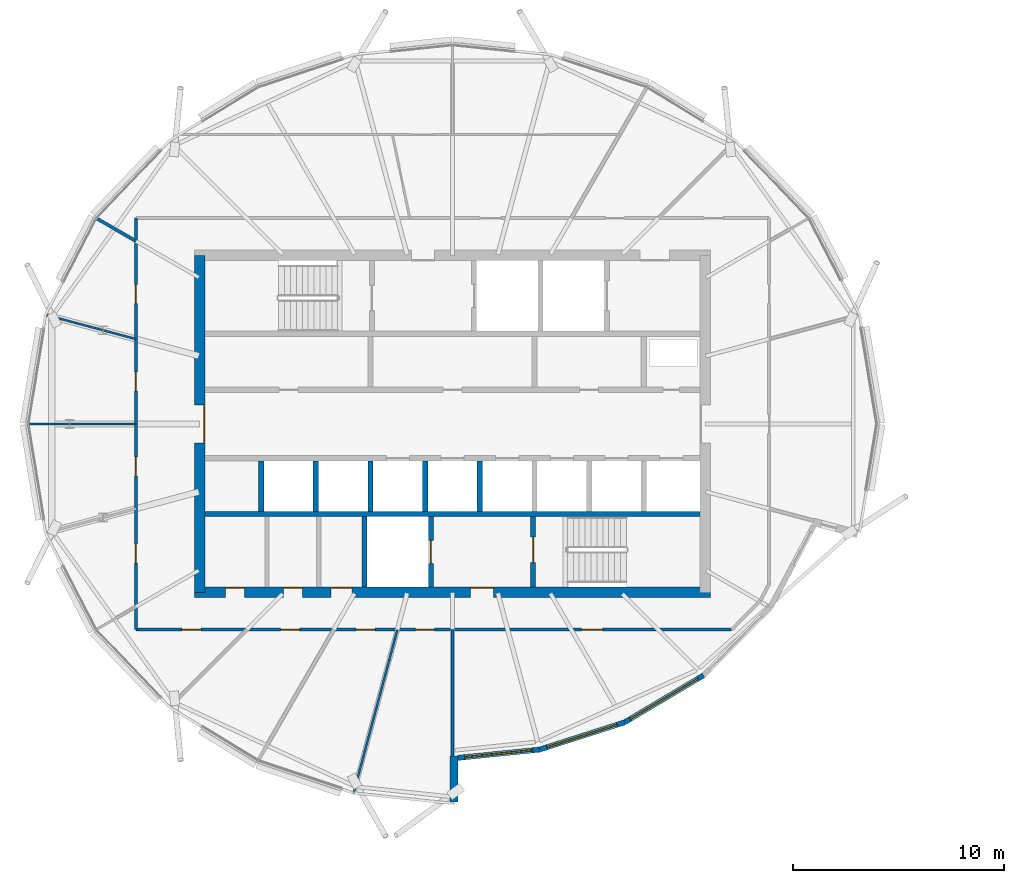
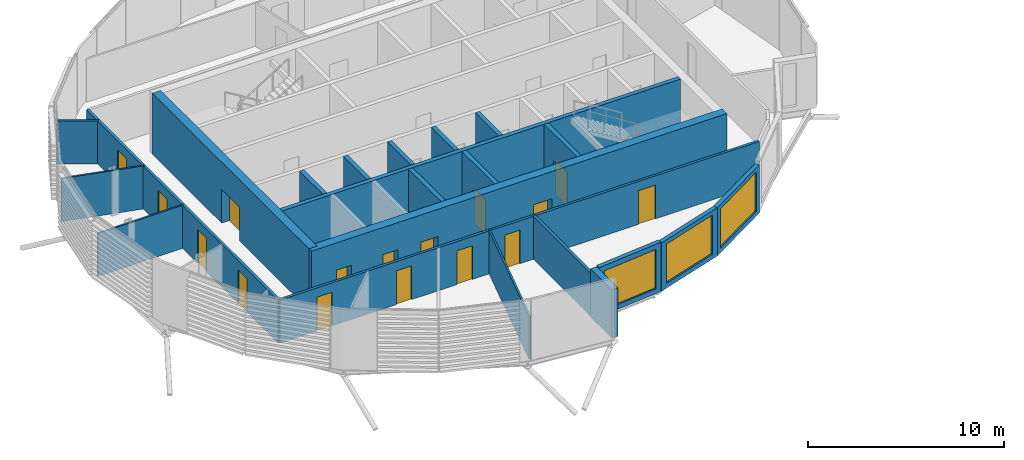
# One storey, part 16 of 34: 22 walls, 16 doors, 3 windows, 19 openings.
"""IFC4 building model written with IfcOpenShell, lengths in metres."""

import ifcopenshell
import ifcopenshell.guid

model = None  # the IFC model being written
_history = None  # IfcOwnerHistory: only IFC2X3 demands one
_inside = {}  # id of a spatial element -> (the spatial element, [elements in it])
_under = {}  # id of a project, library or spatial element -> (it, [spatial elements below it])
_declared = {}  # id of a project -> (the project, [libraries it declares])
_typed = {}  # id of a type object -> (the type object, [elements of that type])
_made_of = {}  # id of a material, layer set ... -> (it, [elements and type objects made of it])


def new_model(schema):
    """Start an empty IFC model of exactly this schema.

    Asked for "IFC4X3", IfcOpenShell would pick the latest addendum, in which some entities
    have other attributes; the version numbers below select the first issue.
    IFC2X3 requires an IfcOwnerHistory on every rooted entity: one is made here for all.
    """
    global model, _history
    if schema == "IFC4X3":
        model = ifcopenshell.file(schema_version=(4, 3, 0, 0))
    else:
        model = ifcopenshell.file(schema=schema)
    _inside.clear()
    _under.clear()
    _declared.clear()
    _typed.clear()
    _made_of.clear()
    _history = None
    if model.schema == "IFC2X3":
        org = make("IfcOrganization", Name="unknown")
        user = make(
            "IfcPersonAndOrganization",
            ThePerson=make("IfcPerson", FamilyName="unknown"),
            TheOrganization=org,
        )
        app = make(
            "IfcApplication",
            ApplicationDeveloper=org,
            Version="unknown",
            ApplicationFullName="unknown",
            ApplicationIdentifier="unknown",
        )
        _history = make(
            "IfcOwnerHistory",
            OwningUser=user,
            OwningApplication=app,
            ChangeAction="ADDED",
            CreationDate=0,
        )
    return model


def make(cls, **values):
    """One entity of the class cls with the attributes given. An attribute that is None is left unset."""
    return model.create_entity(
        cls, **{name: value for name, value in values.items() if value is not None}
    )


def rooted(cls, **values):
    """An entity with a GlobalId (a new one), such as an element, a storey or a relation."""
    return make(cls, GlobalId=ifcopenshell.guid.new(), OwnerHistory=_history, **values)


def si_unit(unit_type, name, prefix=None):
    """IfcSIUnit, for example si_unit("LENGTHUNIT", "METRE", prefix="MILLI")."""
    return make("IfcSIUnit", UnitType=unit_type, Prefix=prefix, Name=name)


def assignment(units):
    """IfcUnitAssignment: the units of a project."""
    return None if units is None else make("IfcUnitAssignment", Units=units)


def point(xyz):
    """IfcCartesianPoint."""
    return None if xyz is None else make("IfcCartesianPoint", Coordinates=xyz)


def direction(xyz):
    """IfcDirection."""
    return None if xyz is None else make("IfcDirection", DirectionRatios=xyz)


def frame(location, z_axis=None, x_axis=None):
    """IfcAxis2Placement3D, a coordinate frame: its origin and axes. An axis left out is left unset."""
    return make(
        "IfcAxis2Placement3D",
        Location=point(location),
        Axis=direction(z_axis),
        RefDirection=direction(x_axis),
    )


def frame_2d(location, x_axis=None):
    """IfcAxis2Placement2D, a coordinate frame in the plane: its origin and x axis."""
    return make(
        "IfcAxis2Placement2D", Location=point(location), RefDirection=direction(x_axis)
    )


def origin():
    """The frame at (0, 0, 0) with its axes left unset."""
    return frame((0.0, 0.0, 0.0))


def place(relative_to, where):
    """IfcLocalPlacement: puts the frame where relative to a parent placement (None: the world)."""
    return make(
        "IfcLocalPlacement", PlacementRelTo=relative_to, RelativePlacement=where
    )


def context(
    kind, dimensions, precision=None, world=None, true_north=None, identifier=None
):
    """IfcGeometricRepresentationContext, for example the 3D "Model" context."""
    return make(
        "IfcGeometricRepresentationContext",
        ContextIdentifier=identifier,
        ContextType=kind,
        CoordinateSpaceDimension=dimensions,
        Precision=precision,
        WorldCoordinateSystem=world,
        TrueNorth=true_north,
    )


def subcontext(parent, identifier, kind, view, scale=None):
    """IfcGeometricRepresentationSubContext, for example "Body" below "Model"."""
    return make(
        "IfcGeometricRepresentationSubContext",
        ContextIdentifier=identifier,
        ContextType=kind,
        ParentContext=parent,
        TargetScale=scale,
        TargetView=view,
    )


def project(units=None, contexts=None):
    """IfcProject with its units and contexts."""
    return rooted(
        "IfcProject",
        Name="project",
        RepresentationContexts=contexts,
        UnitsInContext=assignment(units),
    )


def spatial(cls, under=None, at=None, **own):
    """A site, building, storey or space (cls), placed at a placement, below another one or the project."""
    s = rooted(cls, ObjectPlacement=at, **own)
    if under is not None:
        _under.setdefault(under.id(), (under, []))[1].append(s)
    return s


def profile(cls, at=None, kind="AREA", **sizes):
    """A parametric profile (cls). Its sizes go by their IFC names, for example OverallWidth=200.0."""
    return make(cls, ProfileType=kind, Position=at, **sizes)


def rectangle(**sizes):
    """IfcRectangleProfileDef."""
    return profile("IfcRectangleProfileDef", **sizes)


def extrude(swept, where, along, depth):
    """IfcExtrudedAreaSolid: the profile swept, set in the frame where, extruded along a direction by depth."""
    return make(
        "IfcExtrudedAreaSolid",
        SweptArea=swept,
        Position=where,
        ExtrudedDirection=direction(along),
        Depth=depth,
    )


def shape(context_of_items, identifier, shape_type, items):
    """IfcShapeRepresentation: the items that make up one representation, for example the "Body"."""
    return make(
        "IfcShapeRepresentation",
        ContextOfItems=context_of_items,
        RepresentationIdentifier=identifier,
        RepresentationType=shape_type,
        Items=items,
    )


def material(Name=None, Category=None):
    """IfcMaterial."""
    return make("IfcMaterial", Name=Name, Category=Category)


def layer(
    of_material, thickness, ventilated=None, Name=None, Category=None, Priority=None
):
    """IfcMaterialLayer: one layer of a wall or slab, of a material (None: an air gap)."""
    return make(
        "IfcMaterialLayer",
        Material=of_material,
        LayerThickness=thickness,
        IsVentilated=ventilated,
        Name=Name,
        Category=Category,
        Priority=Priority,
    )


def layer_set(layers, Name=None):
    """IfcMaterialLayerSet."""
    return make("IfcMaterialLayerSet", MaterialLayers=layers, LayerSetName=Name)


def made_of(thing, what):
    """Note that an element or type object is made of a material, layer set ...; save() writes the relation."""
    if what is not None:
        _made_of.setdefault(what.id(), (what, []))[1].append(thing)
    return thing


def type_object(cls, material=None, **own):
    """A type object (cls), such as IfcWallType, which elements share."""
    return made_of(rooted(cls, **own), material)


def element(
    cls,
    number,
    at=None,
    inside=None,
    cuts=None,
    type_object=None,
    material=None,
    context=None,
    identifier="Body",
    shape_type=None,
    held_by="IfcProductDefinitionShape",
    body=None,
    shapes=None,
    **own,
):
    """One element of the class cls, such as IfcWall. Its Tag is "e" and its number.

    at: its placement. inside: the storey or other place that contains it. cuts: it is an
    opening in that element (IfcRelVoidsElement). A single representation is given by context,
    identifier, shape_type and body (its items); several are given by shapes. held_by: the class
    of the entity that holds the representations. save() writes the other relations.
    """
    e = rooted(cls, Tag="e%d" % number, ObjectPlacement=at, **own)
    if body is not None:
        shapes = [shape(context, identifier, shape_type, body)]
    if shapes is not None:
        e.Representation = make(held_by, Representations=shapes)
    if inside is not None:
        _inside.setdefault(inside.id(), (inside, []))[1].append(e)
    if cuts is not None:
        rooted(
            "IfcRelVoidsElement", RelatingBuildingElement=cuts, RelatedOpeningElement=e
        )
    if type_object is not None:
        _typed.setdefault(type_object.id(), (type_object, []))[1].append(e)
    return made_of(e, material)


def fill(opening, filler):
    """IfcRelFillsElement: the door or window that sits in an opening."""
    return rooted(
        "IfcRelFillsElement",
        RelatingOpeningElement=opening,
        RelatedBuildingElement=filler,
    )


def aggregate(whole, parts):
    """IfcRelAggregates: a whole, such as a stair, and the parts it consists of."""
    return rooted("IfcRelAggregates", RelatingObject=whole, RelatedObjects=parts)


def save(model, path):
    """Write the relations noted so far, then the file.

    IfcRelAggregates (storeys below a building ...), IfcRelContainedInSpatialStructure (elements
    in a storey), IfcRelDefinesByType, IfcRelAssociatesMaterial and IfcRelDeclares: one each for
    every whole, place, type object, material and project.
    """
    for whole, parts in _under.values():
        aggregate(whole, parts)
    for where, things in _inside.values():
        rooted(
            "IfcRelContainedInSpatialStructure",
            RelatedElements=things,
            RelatingStructure=where,
        )
    for kind, things in _typed.values():
        rooted("IfcRelDefinesByType", RelatedObjects=things, RelatingType=kind)
    for what, things in _made_of.values():
        rooted("IfcRelAssociatesMaterial", RelatedObjects=things, RelatingMaterial=what)
    for by, libraries in _declared.values():
        rooted("IfcRelDeclares", RelatingContext=by, RelatedDefinitions=libraries)
    model.write(path)


model = new_model("IFC4")

# Units and contexts
model_context = context("Model", 3, precision=1e-05, world=origin(), true_north=direction((0.0, 1.0)))
body_context = subcontext(model_context, "Body", "Model", "MODEL_VIEW")
ifc_project = project(units=[si_unit("LENGTHUNIT", "METRE"), si_unit("AREAUNIT", "SQUARE_METRE"), si_unit("VOLUMEUNIT", "CUBIC_METRE"), si_unit("PLANEANGLEUNIT", "RADIAN"), si_unit("MASSUNIT", "GRAM", prefix="KILO")], contexts=[model_context])

# Site, building, storey
site_placement = place(None, origin())
site = spatial("IfcSite", under=ifc_project, at=site_placement, CompositionType="ELEMENT")
building_placement = place(site_placement, origin())
building = spatial("IfcBuilding", under=site, at=building_placement, Name="Rimbun Link Towers", CompositionType="ELEMENT")
storey_placement = place(building_placement, frame((0.0, 0.0, 252.300048828125)))
storey = spatial("IfcBuildingStorey", under=building, at=storey_placement, Name="L62", CompositionType="ELEMENT", Elevation=252.300048828125)

# Wall, opening, window
ifc_material_1 = material(Name="Dark enamelled glass spandrel on insulated aluminium backpan", Category="aluminium")
ifc_layer_1 = layer(ifc_material_1, 0.25)
ifc_layer_set_1 = layer_set([ifc_layer_1], Name="CS dark enamelled spandrel wall 250")
wall_type_1 = type_object("IfcWallType", Name="CS dark enamelled spandrel wall 250", PredefinedType="STANDARD", material=ifc_layer_set_1)
wall_1_placement = place(storey_placement, frame((-27.615234375, -15.45849609375, 0.0), z_axis=(0.0, 0.0, 1.0), x_axis=(-0.994869903882, -0.101162613404, 0.0)))
wall_1 = element("IfcWall", 1, at=wall_1_placement, inside=storey, type_object=wall_type_1, Name="Crease spandrel wall", PredefinedType="STANDARD", context=body_context, shape_type="SweptSolid", body=[
    extrude(rectangle(XDim=3.90478515625, YDim=0.25, at=frame_2d((1.952392578125, 0.0))), origin(), (0.0, 0.0, 1.0), 3.076904296875),
])
opening_1_placement = place(wall_1_placement, frame((0.327392578125, 0.0, 0.300048828125)))
opening_1 = element("IfcOpeningElement", 2, at=opening_1_placement, cuts=wall_1, Name="Opening WR32H245", PredefinedType="OPENING", context=body_context, shape_type="SweptSolid", body=[
    extrude(rectangle(XDim=3.25, YDim=2.449951171875, at=frame_2d((1.625, 1.22509765625))), frame((0.0, 0.135009765625, 0.0), z_axis=(0.0, -1.0, 0.0), x_axis=(1.0, 0.0, 0.0)), (0.0, 0.0, 1.0), 0.27001953125),
])
ifc_material_2 = material(Name="Aluminium framed fixed window, dark tinted low-e glass", Category="aluminium")
window_type_1 = type_object("IfcWindowType", Name="WR ribbon window 3250X2450", PartitioningType="SINGLE_PANEL", PredefinedType="WINDOW", material=ifc_material_2)
window_1_placement = place(opening_1_placement, origin())
window_1 = element("IfcWindow", 3, at=window_1_placement, inside=storey, type_object=window_type_1, Name="Crease ribbon window", OverallHeight=2.449951171875, OverallWidth=3.25, PartitioningType="SINGLE_PANEL", PredefinedType="WINDOW", context=body_context, shape_type="SweptSolid", body=[
    extrude(rectangle(XDim=3.25, YDim=2.449951171875, at=frame_2d((1.625, 1.22509765625))), frame((0.0, 0.030029296875, 0.0), z_axis=(0.0, -1.0, 0.0), x_axis=(1.0, 0.0, 0.0)), (0.0, 0.0, 1.0), 0.06005859375),
])
fill(opening_1, window_1)

wall_2_placement = place(storey_placement, frame((-23.5849609375, -14.167236328125, 0.0), z_axis=(0.0, 0.0, 1.0), x_axis=(-0.952316246709, -0.305112710737, 0.0)))
wall_2 = element("IfcWall", 4, at=wall_2_placement, inside=storey, type_object=wall_type_1, Name="Crease spandrel wall", PredefinedType="STANDARD", context=body_context, shape_type="SweptSolid", body=[
    extrude(rectangle(XDim=4.232177734375, YDim=0.25, at=frame_2d((2.1162109375, 0.0))), origin(), (0.0, 0.0, 1.0), 3.00732421875),
])
opening_2_placement = place(wall_2_placement, frame((0.365966796875, 0.0, 0.300048828125)))
opening_2 = element("IfcOpeningElement", 5, at=opening_2_placement, cuts=wall_2, Name="Opening WR35H245", PredefinedType="OPENING", context=body_context, shape_type="SweptSolid", body=[
    extrude(rectangle(XDim=3.5, YDim=2.449951171875, at=frame_2d((1.75, 1.22509765625))), frame((0.0, 0.135009765625, 0.0), z_axis=(0.0, -1.0, 0.0), x_axis=(1.0, 0.0, 0.0)), (0.0, 0.0, 1.0), 0.27001953125),
])
ifc_material_3 = material(Name="Aluminium framed fixed window, dark tinted low-e glass", Category="aluminium")
window_type_2 = type_object("IfcWindowType", Name="WR ribbon window 3500X2450", PartitioningType="SINGLE_PANEL", PredefinedType="WINDOW", material=ifc_material_3)
window_2_placement = place(opening_2_placement, origin())
window_2 = element("IfcWindow", 6, at=window_2_placement, inside=storey, type_object=window_type_2, Name="Crease ribbon window", OverallHeight=2.449951171875, OverallWidth=3.5, PartitioningType="SINGLE_PANEL", PredefinedType="WINDOW", context=body_context, shape_type="SweptSolid", body=[
    extrude(rectangle(XDim=3.5, YDim=2.449951171875, at=frame_2d((1.75, 1.22509765625))), frame((0.0, 0.030029296875, 0.0), z_axis=(0.0, -1.0, 0.0), x_axis=(1.0, 0.0, 0.0)), (0.0, 0.0, 1.0), 0.06005859375),
])
fill(opening_2, window_2)

wall_3_placement = place(storey_placement, frame((-19.8359375, -11.935546875, 0.0), z_axis=(0.0, 0.0, 1.0), x_axis=(-0.859280001548, -0.511505502354, 0.0)))
wall_3 = element("IfcWall", 7, at=wall_3_placement, inside=storey, type_object=wall_type_1, Name="Crease spandrel wall", PredefinedType="STANDARD", context=body_context, shape_type="SweptSolid", body=[
    extrude(rectangle(XDim=4.363037109375, YDim=0.25, at=frame_2d((2.181640625, 0.0))), origin(), (0.0, 0.0, 1.0), 3.00732421875),
])
opening_3_placement = place(wall_3_placement, frame((0.306640625, 0.0, 0.300048828125)))
opening_3 = element("IfcOpeningElement", 8, at=opening_3_placement, cuts=wall_3, Name="Opening WR38H245", PredefinedType="OPENING", context=body_context, shape_type="SweptSolid", body=[
    extrude(rectangle(XDim=3.75, YDim=2.449951171875, at=frame_2d((1.875, 1.22509765625))), frame((0.0, 0.135009765625, 0.0), z_axis=(0.0, -1.0, 0.0), x_axis=(1.0, 0.0, 0.0)), (0.0, 0.0, 1.0), 0.27001953125),
])
ifc_material_4 = material(Name="Aluminium framed fixed window, dark tinted low-e glass", Category="aluminium")
window_type_3 = type_object("IfcWindowType", Name="WR ribbon window 3750X2450", PartitioningType="SINGLE_PANEL", PredefinedType="WINDOW", material=ifc_material_4)
window_3_placement = place(opening_3_placement, origin())
window_3 = element("IfcWindow", 9, at=window_3_placement, inside=storey, type_object=window_type_3, Name="Crease ribbon window", OverallHeight=2.449951171875, OverallWidth=3.75, PartitioningType="SINGLE_PANEL", PredefinedType="WINDOW", context=body_context, shape_type="SweptSolid", body=[
    extrude(rectangle(XDim=3.75, YDim=2.449951171875, at=frame_2d((1.875, 1.22509765625))), frame((0.0, 0.030029296875, 0.0), z_axis=(0.0, -1.0, 0.0), x_axis=(1.0, 0.0, 0.0)), (0.0, 0.0, 1.0), 0.06005859375),
])
fill(opening_3, window_3)

# Wall
ifc_material_5 = material(Name="Dark enamelled glass spandrel on insulated aluminium backpan", Category="aluminium")
ifc_layer_2 = layer(ifc_material_5, 0.3701171875)
ifc_layer_set_2 = layer_set([ifc_layer_2], Name="CS dark enamelled spandrel wall 370")
wall_type_2 = type_object("IfcWallType", Name="CS dark enamelled spandrel wall 370", PredefinedType="STANDARD", material=ifc_layer_set_2)
wall_4_placement = place(storey_placement, frame((-31.68505859375, -15.75341796875, 0.0), z_axis=(0.0, 0.0, 1.0), x_axis=(0.0, -1.0, 0.0)))
element("IfcWall", 10, at=wall_4_placement, inside=storey, type_object=wall_type_2, Name="Crease spandrel wall", PredefinedType="STANDARD", context=body_context, shape_type="SweptSolid", body=[
    extrude(rectangle(XDim=2.179931640625, YDim=0.3701171875, at=frame_2d((1.08984375, 0.0))), origin(), (0.0, 0.0, 1.0), 3.00732421875),
])

# Wall, openings, doors
ifc_material_6 = material(Name="Concrete C60/75", Category="concrete")
ifc_layer_3 = layer(ifc_material_6, 0.5)
ifc_layer_set_3 = layer_set([ifc_layer_3], Name="Core shear wall 500")
wall_type_3 = type_object("IfcWallType", Name="Core shear wall 500", PredefinedType="SHEAR", material=ifc_layer_set_3)
wall_5_placement = place(storey_placement, frame((-44.0, -8.0, 0.0), z_axis=(0.0, 0.0, 1.0), x_axis=(1.0, 0.0, 0.0)))
wall_5 = element("IfcWall", 11, at=wall_5_placement, inside=storey, type_object=wall_type_3, Name="L62 T1 core wall S", PredefinedType="SHEAR", context=body_context, shape_type="SweptSolid", body=[
    extrude(rectangle(XDim=24.5, YDim=0.5, at=frame_2d((12.25, 0.0))), origin(), (0.0, 0.0, 1.0), 3.800048828125),
])
opening_4_placement = place(wall_5_placement, frame((13.10009765625, 0.0, 0.0)))
opening_4 = element("IfcOpeningElement", 12, at=opening_4_placement, cuts=wall_5, Name="Opening C1DCF01S", PredefinedType="OPENING", context=body_context, shape_type="SweptSolid", body=[
    extrude(rectangle(XDim=1.10009765625, YDim=2.10009765625, at=frame_2d((0.550048828125, 1.050048828125))), frame((0.0, 0.260009765625, 0.0), z_axis=(0.0, -1.0, 0.0), x_axis=(1.0, 0.0, 0.0)), (0.0, 0.0, 1.0), 0.52001953125),
])
opening_5_placement = place(wall_5_placement, frame((1.47509765625, 0.0, 0.0)))
opening_5 = element("IfcOpeningElement", 13, at=opening_5_placement, cuts=wall_5, Name="Opening C1DWC02S", PredefinedType="OPENING", context=body_context, shape_type="SweptSolid", body=[
    extrude(rectangle(XDim=0.89990234375, YDim=2.10009765625, at=frame_2d((0.449951171875, 1.050048828125))), frame((0.0, 0.260009765625, 0.0), z_axis=(0.0, -1.0, 0.0), x_axis=(1.0, 0.0, 0.0)), (0.0, 0.0, 1.0), 0.52001953125),
])
opening_6_placement = place(wall_5_placement, frame((4.22509765625, 0.0, 0.0)))
opening_6 = element("IfcOpeningElement", 14, at=opening_6_placement, cuts=wall_5, Name="Opening C1DWC03S", PredefinedType="OPENING", context=body_context, shape_type="SweptSolid", body=[
    extrude(rectangle(XDim=0.89990234375, YDim=2.10009765625, at=frame_2d((0.449951171875, 1.050048828125))), frame((0.0, 0.260009765625, 0.0), z_axis=(0.0, -1.0, 0.0), x_axis=(1.0, 0.0, 0.0)), (0.0, 0.0, 1.0), 0.52001953125),
])
opening_7_placement = place(wall_5_placement, frame((6.47509765625, 0.0, 0.0)))
opening_7 = element("IfcOpeningElement", 15, at=opening_7_placement, cuts=wall_5, Name="Opening C1DAW04S", PredefinedType="OPENING", context=body_context, shape_type="SweptSolid", body=[
    extrude(rectangle(XDim=1.0, YDim=2.10009765625, at=frame_2d((0.5, 1.050048828125))), frame((0.0, 0.260009765625, 0.0), z_axis=(0.0, -1.0, 0.0), x_axis=(1.0, 0.0, 0.0)), (0.0, 0.0, 1.0), 0.52001953125),
])
ifc_material_7 = material(Name="Timber", Category="wood")
door_type_1 = type_object("IfcDoorType", Name="Accessible WC door", OperationType="SINGLE_SWING_LEFT", PredefinedType="DOOR", material=ifc_material_7)
door_1_placement = place(opening_7_placement, origin())
door_1 = element("IfcDoor", 16, at=door_1_placement, inside=storey, type_object=door_type_1, Name="L62 T1 accessible wc door", OperationType="SINGLE_SWING_RIGHT", OverallHeight=2.10009765625, OverallWidth=1.0, PredefinedType="DOOR", context=body_context, shape_type="SweptSolid", body=[
    extrude(rectangle(XDim=1.0, YDim=2.10009765625, at=frame_2d((0.5, 1.050048828125))), frame((0.0, 0.25, 0.0), z_axis=(0.0, -1.0, 0.0), x_axis=(1.0, 0.0, 0.0)), (0.0, 0.0, 1.0), 0.050048828125),
])
fill(opening_7, door_1)
ifc_material_8 = material(Name="Steel fire door set", Category="steel")
door_type_2 = type_object("IfcDoorType", Name="Core fire door single", OperationType="SINGLE_SWING_LEFT", PredefinedType="DOOR", material=ifc_material_8)
door_2_placement = place(opening_4_placement, origin())
door_2 = element("IfcDoor", 17, at=door_2_placement, inside=storey, type_object=door_type_2, Name="L62 T1 firefighting lobby s door", OperationType="SINGLE_SWING_LEFT", OverallHeight=2.10009765625, OverallWidth=1.10009765625, PredefinedType="DOOR", context=body_context, shape_type="SweptSolid", body=[
    extrude(rectangle(XDim=1.10009765625, YDim=2.10009765625, at=frame_2d((0.550048828125, 1.050048828125))), frame((0.0, 0.25, 0.0), z_axis=(0.0, -1.0, 0.0), x_axis=(1.0, 0.0, 0.0)), (0.0, 0.0, 1.0), 0.050048828125),
])
fill(opening_4, door_2)
ifc_material_9 = material(Name="Timber", Category="wood")
door_type_3 = type_object("IfcDoorType", Name="WC door", OperationType="SINGLE_SWING_LEFT", PredefinedType="DOOR", material=ifc_material_9)
door_3_placement = place(opening_5_placement, origin())
door_3 = element("IfcDoor", 18, at=door_3_placement, inside=storey, type_object=door_type_3, Name="L62 T1 male wc door", OperationType="SINGLE_SWING_RIGHT", OverallHeight=2.10009765625, OverallWidth=0.89990234375, PredefinedType="DOOR", context=body_context, shape_type="SweptSolid", body=[
    extrude(rectangle(XDim=0.89990234375, YDim=2.10009765625, at=frame_2d((0.449951171875, 1.050048828125))), frame((0.0, 0.25, 0.0), z_axis=(0.0, -1.0, 0.0), x_axis=(1.0, 0.0, 0.0)), (0.0, 0.0, 1.0), 0.050048828125),
])
fill(opening_5, door_3)
door_4_placement = place(opening_6_placement, origin())
door_4 = element("IfcDoor", 19, at=door_4_placement, inside=storey, type_object=door_type_3, Name="L62 T1 female wc door", OperationType="SINGLE_SWING_RIGHT", OverallHeight=2.10009765625, OverallWidth=0.89990234375, PredefinedType="DOOR", context=body_context, shape_type="SweptSolid", body=[
    extrude(rectangle(XDim=0.89990234375, YDim=2.10009765625, at=frame_2d((0.449951171875, 1.050048828125))), frame((0.0, 0.25, 0.0), z_axis=(0.0, -1.0, 0.0), x_axis=(1.0, 0.0, 0.0)), (0.0, 0.0, 1.0), 0.050048828125),
])
fill(opening_6, door_4)

# Wall, opening, door
wall_6_placement = place(storey_placement, frame((-43.75, -8.0, 0.0), z_axis=(0.0, 0.0, 1.0), x_axis=(0.0, 1.0, 0.0)))
wall_6 = element("IfcWall", 20, at=wall_6_placement, inside=storey, type_object=wall_type_3, Name="L62 T1 core wall W", PredefinedType="SHEAR", context=body_context, shape_type="SweptSolid", body=[
    extrude(rectangle(XDim=16.0, YDim=0.5, at=frame_2d((8.0, 0.0))), origin(), (0.0, 0.0, 1.0), 3.800048828125),
])
opening_8_placement = place(wall_6_placement, frame((7.10009765625, 0.0, 0.0)))
opening_8 = element("IfcOpeningElement", 21, at=opening_8_placement, cuts=wall_6, Name="Opening C1DCL01W", PredefinedType="OPENING", context=body_context, shape_type="SweptSolid", body=[
    extrude(rectangle(XDim=1.800048828125, YDim=2.10009765625, at=frame_2d((0.89990234375, 1.050048828125))), frame((0.0, 0.260009765625, 0.0), z_axis=(0.0, -1.0, 0.0), x_axis=(1.0, 0.0, 0.0)), (0.0, 0.0, 1.0), 0.52001953125),
])
ifc_material_10 = material(Name="Steel fire door set", Category="steel")
door_type_4 = type_object("IfcDoorType", Name="Core lobby door double", OperationType="DOUBLE_DOOR_SINGLE_SWING", PredefinedType="DOOR", material=ifc_material_10)
door_5_placement = place(opening_8_placement, origin())
door_5 = element("IfcDoor", 22, at=door_5_placement, inside=storey, type_object=door_type_4, Name="L62 T1 lift lobby door", OperationType="DOUBLE_DOOR_SINGLE_SWING", OverallHeight=2.10009765625, OverallWidth=1.800048828125, PredefinedType="DOOR", context=body_context, shape_type="SweptSolid", body=[
    extrude(rectangle(XDim=1.800048828125, YDim=2.10009765625, at=frame_2d((0.89990234375, 1.050048828125))), frame((0.0, -0.2001953125, 0.0), z_axis=(0.0, -1.0, 0.0), x_axis=(1.0, 0.0, 0.0)), (0.0, 0.0, 1.0), 0.050048828125),
])
fill(opening_8, door_5)

# Wall, openings, doors
ifc_material_11 = material(Name="Plasterboard on steel stud, mineral wool", Category="steel")
ifc_layer_4 = layer(ifc_material_11, 0.14990234375)
ifc_layer_set_4 = layer_set([ifc_layer_4], Name="Corridor wall EI 30 150 mm")
wall_type_4 = type_object("IfcWallType", Name="Corridor wall EI 30 150 mm", PredefinedType="PARTITIONING", material=ifc_layer_set_4)
wall_7_placement = place(storey_placement, frame((-46.77490234375, -9.764892578125, 0.0), z_axis=(0.0, 0.0, 1.0), x_axis=(0.0, 1.0, 0.0)))
wall_7 = element("IfcWall", 23, at=wall_7_placement, inside=storey, type_object=wall_type_4, Name="Corridor wall EI 30 150 mm", PredefinedType="PARTITIONING", context=body_context, shape_type="SweptSolid", body=[
    extrude(rectangle(XDim=19.52978515625, YDim=0.14990234375, at=frame_2d((9.764892578125, 0.0))), origin(), (0.0, 0.0, 1.0), 2.681884765625),
])
opening_9_placement = place(wall_7_placement, frame((15.468017578125, 0.0, 0.0)))
opening_9 = element("IfcOpeningElement", 24, at=opening_9_placement, cuts=wall_7, Name="Opening D02", PredefinedType="OPENING", context=body_context, shape_type="SweptSolid", body=[
    extrude(rectangle(XDim=0.89990234375, YDim=2.10009765625, at=frame_2d((0.449951171875, 1.050048828125))), frame((0.0, 0.0849609375, 0.0), z_axis=(0.0, -1.0, 0.0), x_axis=(1.0, 0.0, 0.0)), (0.0, 0.0, 1.0), 0.169921875),
])
opening_10_placement = place(wall_7_placement, frame((11.327880859375, 0.0, 0.0)))
opening_10 = element("IfcOpeningElement", 25, at=opening_10_placement, cuts=wall_7, Name="Opening D02", PredefinedType="OPENING", context=body_context, shape_type="SweptSolid", body=[
    extrude(rectangle(XDim=0.89990234375, YDim=2.10009765625, at=frame_2d((0.449951171875, 1.050048828125))), frame((0.0, 0.0849609375, 0.0), z_axis=(0.0, -1.0, 0.0), x_axis=(1.0, 0.0, 0.0)), (0.0, 0.0, 1.0), 0.169921875),
])
opening_11_placement = place(wall_7_placement, frame((7.302001953125, 0.0, 0.0)))
opening_11 = element("IfcOpeningElement", 26, at=opening_11_placement, cuts=wall_7, Name="Opening D02", PredefinedType="OPENING", context=body_context, shape_type="SweptSolid", body=[
    extrude(rectangle(XDim=0.89990234375, YDim=2.10009765625, at=frame_2d((0.449951171875, 1.050048828125))), frame((0.0, 0.0849609375, 0.0), z_axis=(0.0, -1.0, 0.0), x_axis=(1.0, 0.0, 0.0)), (0.0, 0.0, 1.0), 0.169921875),
])
opening_12_placement = place(wall_7_placement, frame((3.162109375, 0.0, 0.0)))
opening_12 = element("IfcOpeningElement", 27, at=opening_12_placement, cuts=wall_7, Name="Opening D02", PredefinedType="OPENING", context=body_context, shape_type="SweptSolid", body=[
    extrude(rectangle(XDim=0.89990234375, YDim=2.10009765625, at=frame_2d((0.449951171875, 1.050048828125))), frame((0.0, 0.0849609375, 0.0), z_axis=(0.0, -1.0, 0.0), x_axis=(1.0, 0.0, 0.0)), (0.0, 0.0, 1.0), 0.169921875),
])
ifc_material_12 = material(Name="Fire-resisting timber door leaf", Category="wood")
door_type_5 = type_object("IfcDoorType", Name="Fire door FD30S 900", OperationType="NOTDEFINED", PredefinedType="DOOR", material=ifc_material_12)
door_6_placement = place(opening_9_placement, origin())
door_6 = element("IfcDoor", 28, at=door_6_placement, inside=storey, type_object=door_type_5, Name="Fire door FD30S 900 to Meeting room", OperationType="SINGLE_SWING_RIGHT", OverallHeight=2.10009765625, OverallWidth=0.89990234375, PredefinedType="DOOR", context=body_context, shape_type="SweptSolid", body=[
    extrude(rectangle(XDim=0.89990234375, YDim=2.10009765625, at=frame_2d((0.449951171875, 1.050048828125))), frame((0.0, 0.02490234375, 0.0), z_axis=(0.0, -1.0, 0.0), x_axis=(1.0, 0.0, 0.0)), (0.0, 0.0, 1.0), 0.050048828125),
])
fill(opening_9, door_6)
door_7_placement = place(opening_10_placement, origin())
door_7 = element("IfcDoor", 29, at=door_7_placement, inside=storey, type_object=door_type_5, Name="Fire door FD30S 900 to Print room", OperationType="SINGLE_SWING_LEFT", OverallHeight=2.10009765625, OverallWidth=0.89990234375, PredefinedType="DOOR", context=body_context, shape_type="SweptSolid", body=[
    extrude(rectangle(XDim=0.89990234375, YDim=2.10009765625, at=frame_2d((0.449951171875, 1.050048828125))), frame((0.0, 0.02490234375, 0.0), z_axis=(0.0, -1.0, 0.0), x_axis=(1.0, 0.0, 0.0)), (0.0, 0.0, 1.0), 0.050048828125),
])
fill(opening_10, door_7)
door_8_placement = place(opening_11_placement, origin())
door_8 = element("IfcDoor", 30, at=door_8_placement, inside=storey, type_object=door_type_5, Name="Fire door FD30S 900 to Open office", OperationType="SINGLE_SWING_RIGHT", OverallHeight=2.10009765625, OverallWidth=0.89990234375, PredefinedType="DOOR", context=body_context, shape_type="SweptSolid", body=[
    extrude(rectangle(XDim=0.89990234375, YDim=2.10009765625, at=frame_2d((0.449951171875, 1.050048828125))), frame((0.0, 0.02490234375, 0.0), z_axis=(0.0, -1.0, 0.0), x_axis=(1.0, 0.0, 0.0)), (0.0, 0.0, 1.0), 0.050048828125),
])
fill(opening_11, door_8)
door_9_placement = place(opening_12_placement, origin())
door_9 = element("IfcDoor", 31, at=door_9_placement, inside=storey, type_object=door_type_5, Name="Fire door FD30S 900 to Meeting room", OperationType="SINGLE_SWING_LEFT", OverallHeight=2.10009765625, OverallWidth=0.89990234375, PredefinedType="DOOR", context=body_context, shape_type="SweptSolid", body=[
    extrude(rectangle(XDim=0.89990234375, YDim=2.10009765625, at=frame_2d((0.449951171875, 1.050048828125))), frame((0.0, 0.02490234375, 0.0), z_axis=(0.0, -1.0, 0.0), x_axis=(1.0, 0.0, 0.0)), (0.0, 0.0, 1.0), 0.050048828125),
])
fill(opening_12, door_9)

wall_8_placement = place(storey_placement, frame((-18.5029296875, -9.764892578125, 0.0), z_axis=(0.0, 0.0, 1.0), x_axis=(-1.0, 0.0, 0.0)))
wall_8 = element("IfcWall", 32, at=wall_8_placement, inside=storey, type_object=wall_type_4, Name="Corridor wall EI 30 150 mm", PredefinedType="PARTITIONING", context=body_context, shape_type="SweptSolid", body=[
    extrude(rectangle(XDim=28.27197265625, YDim=0.14990234375, at=frame_2d((14.135986328125, 0.0))), origin(), (0.0, 0.0, 1.0), 2.681884765625),
])
opening_13_placement = place(wall_8_placement, frame((25.19189453125, 0.0, 0.0)))
opening_13 = element("IfcOpeningElement", 33, at=opening_13_placement, cuts=wall_8, Name="Opening D02", PredefinedType="OPENING", context=body_context, shape_type="SweptSolid", body=[
    extrude(rectangle(XDim=0.89990234375, YDim=2.10009765625, at=frame_2d((0.449951171875, 1.050048828125))), frame((0.0, 0.0849609375, 0.0), z_axis=(0.0, -1.0, 0.0), x_axis=(1.0, 0.0, 0.0)), (0.0, 0.0, 1.0), 0.169921875),
])
opening_14_placement = place(wall_8_placement, frame((20.498291015625, 0.0, 0.0)))
opening_14 = element("IfcOpeningElement", 34, at=opening_14_placement, cuts=wall_8, Name="Opening D02", PredefinedType="OPENING", context=body_context, shape_type="SweptSolid", body=[
    extrude(rectangle(XDim=0.89990234375, YDim=2.10009765625, at=frame_2d((0.449951171875, 1.050048828125))), frame((0.0, 0.0849609375, 0.0), z_axis=(0.0, -1.0, 0.0), x_axis=(1.0, 0.0, 0.0)), (0.0, 0.0, 1.0), 0.169921875),
])
opening_15_placement = place(wall_8_placement, frame((16.92431640625, 0.0, 0.0)))
opening_15 = element("IfcOpeningElement", 35, at=opening_15_placement, cuts=wall_8, Name="Opening D02", PredefinedType="OPENING", context=body_context, shape_type="SweptSolid", body=[
    extrude(rectangle(XDim=0.89990234375, YDim=2.10009765625, at=frame_2d((0.449951171875, 1.050048828125))), frame((0.0, 0.0849609375, 0.0), z_axis=(0.0, -1.0, 0.0), x_axis=(1.0, 0.0, 0.0)), (0.0, 0.0, 1.0), 0.169921875),
])
opening_16_placement = place(wall_8_placement, frame((14.105224609375, 0.0, 0.0)))
opening_16 = element("IfcOpeningElement", 36, at=opening_16_placement, cuts=wall_8, Name="Opening D02", PredefinedType="OPENING", context=body_context, shape_type="SweptSolid", body=[
    extrude(rectangle(XDim=0.89990234375, YDim=2.10009765625, at=frame_2d((0.449951171875, 1.050048828125))), frame((0.0, 0.0849609375, 0.0), z_axis=(0.0, -1.0, 0.0), x_axis=(1.0, 0.0, 0.0)), (0.0, 0.0, 1.0), 0.169921875),
])
opening_17_placement = place(wall_8_placement, frame((6.12353515625, 0.0, 0.0)))
opening_17 = element("IfcOpeningElement", 37, at=opening_17_placement, cuts=wall_8, Name="Opening D01", PredefinedType="OPENING", context=body_context, shape_type="SweptSolid", body=[
    extrude(rectangle(XDim=1.0, YDim=2.10009765625, at=frame_2d((0.5, 1.050048828125))), frame((0.0, 0.0849609375, 0.0), z_axis=(0.0, -1.0, 0.0), x_axis=(1.0, 0.0, 0.0)), (0.0, 0.0, 1.0), 0.169921875),
])
ifc_material_13 = material(Name="Fire-resisting timber door leaf", Category="wood")
door_type_6 = type_object("IfcDoorType", Name="Fire door FD30S 1000", OperationType="NOTDEFINED", PredefinedType="DOOR", material=ifc_material_13)
door_10_placement = place(opening_17_placement, origin())
door_10 = element("IfcDoor", 38, at=door_10_placement, inside=storey, type_object=door_type_6, Name="Fire door FD30S 1000 to Terrace office", OperationType="SINGLE_SWING_RIGHT", OverallHeight=2.10009765625, OverallWidth=1.0, PredefinedType="DOOR", context=body_context, shape_type="SweptSolid", body=[
    extrude(rectangle(XDim=1.0, YDim=2.10009765625, at=frame_2d((0.5, 1.050048828125))), frame((0.0, 0.02490234375, 0.0), z_axis=(0.0, -1.0, 0.0), x_axis=(1.0, 0.0, 0.0)), (0.0, 0.0, 1.0), 0.050048828125),
])
fill(opening_17, door_10)
door_11_placement = place(opening_13_placement, origin())
door_11 = element("IfcDoor", 39, at=door_11_placement, inside=storey, type_object=door_type_5, Name="Fire door FD30S 900 to Print room", OperationType="SINGLE_SWING_RIGHT", OverallHeight=2.10009765625, OverallWidth=0.89990234375, PredefinedType="DOOR", context=body_context, shape_type="SweptSolid", body=[
    extrude(rectangle(XDim=0.89990234375, YDim=2.10009765625, at=frame_2d((0.449951171875, 1.050048828125))), frame((0.0, 0.02490234375, 0.0), z_axis=(0.0, -1.0, 0.0), x_axis=(1.0, 0.0, 0.0)), (0.0, 0.0, 1.0), 0.050048828125),
])
fill(opening_13, door_11)
door_12_placement = place(opening_14_placement, origin())
door_12 = element("IfcDoor", 40, at=door_12_placement, inside=storey, type_object=door_type_5, Name="Fire door FD30S 900 to Open office", OperationType="SINGLE_SWING_LEFT", OverallHeight=2.10009765625, OverallWidth=0.89990234375, PredefinedType="DOOR", context=body_context, shape_type="SweptSolid", body=[
    extrude(rectangle(XDim=0.89990234375, YDim=2.10009765625, at=frame_2d((0.449951171875, 1.050048828125))), frame((0.0, 0.02490234375, 0.0), z_axis=(0.0, -1.0, 0.0), x_axis=(1.0, 0.0, 0.0)), (0.0, 0.0, 1.0), 0.050048828125),
])
fill(opening_14, door_12)
door_13_placement = place(opening_15_placement, origin())
door_13 = element("IfcDoor", 41, at=door_13_placement, inside=storey, type_object=door_type_5, Name="Fire door FD30S 900 to Meeting room", OperationType="SINGLE_SWING_RIGHT", OverallHeight=2.10009765625, OverallWidth=0.89990234375, PredefinedType="DOOR", context=body_context, shape_type="SweptSolid", body=[
    extrude(rectangle(XDim=0.89990234375, YDim=2.10009765625, at=frame_2d((0.449951171875, 1.050048828125))), frame((0.0, 0.02490234375, 0.0), z_axis=(0.0, -1.0, 0.0), x_axis=(1.0, 0.0, 0.0)), (0.0, 0.0, 1.0), 0.050048828125),
])
fill(opening_15, door_13)
door_14_placement = place(opening_16_placement, origin())
door_14 = element("IfcDoor", 42, at=door_14_placement, inside=storey, type_object=door_type_5, Name="Fire door FD30S 900 to Meeting room", OperationType="SINGLE_SWING_LEFT", OverallHeight=2.10009765625, OverallWidth=0.89990234375, PredefinedType="DOOR", context=body_context, shape_type="SweptSolid", body=[
    extrude(rectangle(XDim=0.89990234375, YDim=2.10009765625, at=frame_2d((0.449951171875, 1.050048828125))), frame((0.0, 0.02490234375, 0.0), z_axis=(0.0, -1.0, 0.0), x_axis=(1.0, 0.0, 0.0)), (0.0, 0.0, 1.0), 0.050048828125),
])
fill(opening_16, door_14)

# Walls
ifc_material_14 = material(Name="Plasterboard on steel stud", Category="steel")
ifc_layer_5 = layer(ifc_material_14, 0.10009765625)
ifc_layer_set_5 = layer_set([ifc_layer_5], Name="Plasterboard partition 100 mm")
wall_type_5 = type_object("IfcWallType", Name="Plasterboard partition 100 mm", PredefinedType="PARTITIONING", material=ifc_layer_set_5)
wall_9_placement = place(storey_placement, frame((-51.009033203125, 5.160400390625, 0.0), z_axis=(0.0, 0.0, 1.0), x_axis=(0.965926422845, -0.258816818714, 0.0)))
element("IfcWall", 43, at=wall_9_placement, inside=storey, type_object=wall_type_5, Name="Plasterboard partition 100 mm", PredefinedType="PARTITIONING", context=body_context, shape_type="SweptSolid", body=[
    extrude(rectangle(XDim=4.383544921875, YDim=0.10009765625, at=frame_2d((2.19189453125, 0.0))), origin(), (0.0, 0.0, 1.0), 2.681884765625),
])
wall_10_placement = place(storey_placement, frame((-51.857666015625, 0.0, 0.0), z_axis=(0.0, 0.0, 1.0), x_axis=(1.0, 0.0, 0.0)))
element("IfcWall", 44, at=wall_10_placement, inside=storey, type_object=wall_type_5, Name="Plasterboard partition 100 mm", PredefinedType="PARTITIONING", context=body_context, shape_type="SweptSolid", body=[
    extrude(rectangle(XDim=5.082763671875, YDim=0.10009765625, at=frame_2d((2.54150390625, 0.0))), origin(), (0.0, 0.0, 1.0), 2.681884765625),
])
wall_11_placement = place(storey_placement, frame((-36.428466796875, -17.460693359375, 0.0), z_axis=(0.0, 0.0, 1.0), x_axis=(0.258810626858, 0.965928081912, 0.0)))
element("IfcWall", 45, at=wall_11_placement, inside=storey, type_object=wall_type_5, Name="Plasterboard partition 100 mm", PredefinedType="PARTITIONING", context=body_context, shape_type="SweptSolid", body=[
    extrude(rectangle(XDim=7.96728515625, YDim=0.10009765625, at=frame_2d((3.983642578125, 0.0))), origin(), (0.0, 0.0, 1.0), 2.681884765625),
])
ifc_material_15 = material(Name="Concrete C60/75", Category="concrete")
ifc_layer_6 = layer(ifc_material_15, 0.25)
ifc_layer_set_6 = layer_set([ifc_layer_6], Name="Shaft wall 250")
wall_type_6 = type_object("IfcWallType", Name="Shaft wall 250", PredefinedType="SHEAR", material=ifc_layer_set_6)
wall_12_placement = place(storey_placement, frame((-43.5, -4.27490234375, 0.0), z_axis=(0.0, 0.0, 1.0), x_axis=(1.0, 0.0, 0.0)))
element("IfcWall", 46, at=wall_12_placement, inside=storey, type_object=wall_type_6, Name="L62 T1 core wall BS", PredefinedType="SHEAR", context=body_context, shape_type="SweptSolid", body=[
    extrude(rectangle(XDim=23.5, YDim=0.25, at=frame_2d((11.75, 0.0))), origin(), (0.0, 0.0, 1.0), 3.800048828125),
])
for number, where, z_axis, x_axis, name in (
    (47, (-40.83056640625, -4.14990234375, 0.0), (0.0, 0.0, 1.0), (0.0, 1.0, 0.0), "L62 T1 core wall DS0"),
    (48, (-38.236083984375, -4.14990234375, 0.0), (0.0, 0.0, 1.0), (0.0, 1.0, 0.0), "L62 T1 core wall DS1"),
    (49, (-35.6416015625, -4.14990234375, 0.0), (0.0, 0.0, 1.0), (0.0, 1.0, 0.0), "L62 T1 core wall DS2"),
    (50, (-33.047119140625, -4.14990234375, 0.0), (0.0, 0.0, 1.0), (0.0, 1.0, 0.0), "L62 T1 core wall DS3"),
    (51, (-30.452880859375, -4.14990234375, 0.0), (0.0, 0.0, 1.0), (0.0, 1.0, 0.0), "L62 T1 core wall DS4"),
):
    element("IfcWall", number, at=place(storey_placement, frame(where, z_axis=z_axis, x_axis=x_axis)), inside=storey, type_object=wall_type_6, Name=name, PredefinedType="SHEAR", context=body_context, shape_type="SweptSolid", body=[
        extrude(rectangle(XDim=2.39990234375, YDim=0.25, at=frame_2d((1.199951171875, 0.0))), origin(), (0.0, 0.0, 1.0), 3.800048828125),
    ])

# Wall, opening, door
wall_13_placement = place(storey_placement, frame((-27.925048828125, -4.39990234375, 0.0), z_axis=(0.0, 0.0, 1.0), x_axis=(0.0, -1.0, 0.0)))
wall_13 = element("IfcWall", 52, at=wall_13_placement, inside=storey, type_object=wall_type_6, Name="L62 T1 core wall B1", PredefinedType="SHEAR", context=body_context, shape_type="SweptSolid", body=[
    extrude(rectangle(XDim=3.35009765625, YDim=0.25, at=frame_2d((1.675048828125, 0.0))), origin(), (0.0, 0.0, 1.0), 3.800048828125),
])
opening_18_placement = place(wall_13_placement, frame((0.97509765625, 0.0, 0.0)))
opening_18 = element("IfcOpeningElement", 53, at=opening_18_placement, cuts=wall_13, Name="Opening C1DST01B1", PredefinedType="OPENING", context=body_context, shape_type="SweptSolid", body=[
    extrude(rectangle(XDim=1.199951171875, YDim=2.10009765625, at=frame_2d((0.60009765625, 1.050048828125))), frame((0.0, 0.135009765625, 0.0), z_axis=(0.0, -1.0, 0.0), x_axis=(1.0, 0.0, 0.0)), (0.0, 0.0, 1.0), 0.27001953125),
])
ifc_material_16 = material(Name="Steel fire door set", Category="steel")
door_type_7 = type_object("IfcDoorType", Name="Stair door", OperationType="SINGLE_SWING_LEFT", PredefinedType="DOOR", material=ifc_material_16)
door_15_placement = place(opening_18_placement, origin())
door_15 = element("IfcDoor", 54, at=door_15_placement, inside=storey, type_object=door_type_7, Name="L62 T1 stair b door", OperationType="SINGLE_SWING_RIGHT", OverallHeight=2.10009765625, OverallWidth=1.199951171875, PredefinedType="DOOR", context=body_context, shape_type="SweptSolid", body=[
    extrude(rectangle(XDim=1.199951171875, YDim=2.10009765625, at=frame_2d((0.60009765625, 1.050048828125))), frame((0.0, 0.02490234375, 0.0), z_axis=(0.0, -1.0, 0.0), x_axis=(1.0, 0.0, 0.0)), (0.0, 0.0, 1.0), 0.050048828125),
])
fill(opening_18, door_15)

wall_14_placement = place(storey_placement, frame((-32.77490234375, -4.39990234375, 0.0), z_axis=(0.0, 0.0, 1.0), x_axis=(0.0, -1.0, 0.0)))
wall_14 = element("IfcWall", 55, at=wall_14_placement, inside=storey, type_object=wall_type_6, Name="L62 T1 core wall B2", PredefinedType="SHEAR", context=body_context, shape_type="SweptSolid", body=[
    extrude(rectangle(XDim=3.35009765625, YDim=0.25, at=frame_2d((1.675048828125, 0.0))), origin(), (0.0, 0.0, 1.0), 3.800048828125),
])
opening_19_placement = place(wall_14_placement, frame((1.125, 0.0, 0.0)))
opening_19 = element("IfcOpeningElement", 56, at=opening_19_placement, cuts=wall_14, Name="Opening LD-T1-FF2", PredefinedType="OPENING", context=body_context, shape_type="SweptSolid", body=[
    extrude(rectangle(XDim=1.10009765625, YDim=2.10009765625, at=frame_2d((0.550048828125, 1.050048828125))), frame((0.0, 0.135009765625, 0.0), z_axis=(0.0, -1.0, 0.0), x_axis=(1.0, 0.0, 0.0)), (0.0, 0.0, 1.0), 0.27001953125),
])
ifc_material_17 = material(Name="Stainless steel grade 316", Category="steel")
door_type_8 = type_object("IfcDoorType", Name="Lift landing door", OperationType="DOUBLE_DOOR_SLIDING", PredefinedType="DOOR", material=ifc_material_17)
door_16_placement = place(opening_19_placement, origin())
door_16 = element("IfcDoor", 57, at=door_16_placement, inside=storey, type_object=door_type_8, Name="L62 T1 lift FF2 landing door", OperationType="DOUBLE_DOOR_SLIDING", OverallHeight=2.10009765625, OverallWidth=1.10009765625, PredefinedType="DOOR", context=body_context, shape_type="SweptSolid", body=[
    extrude(rectangle(XDim=1.10009765625, YDim=2.10009765625, at=frame_2d((0.550048828125, 1.050048828125))), frame((0.0, 0.02490234375, 0.0), z_axis=(0.0, -1.0, 0.0), x_axis=(1.0, 0.0, 0.0)), (0.0, 0.0, 1.0), 0.050048828125),
])
fill(opening_19, door_16)

# Walls
wall_15_placement = place(storey_placement, frame((-35.925048828125, -4.39990234375, 0.0), z_axis=(0.0, 0.0, 1.0), x_axis=(0.0, -1.0, 0.0)))
element("IfcWall", 58, at=wall_15_placement, inside=storey, type_object=wall_type_6, Name="L62 T1 core wall B3", PredefinedType="SHEAR", context=body_context, shape_type="SweptSolid", body=[
    extrude(rectangle(XDim=3.35009765625, YDim=0.25, at=frame_2d((1.675048828125, 0.0))), origin(), (0.0, 0.0, 1.0), 3.800048828125),
])
ifc_material_18 = material(Name="Plasterboard on steel stud, mineral wool", Category="steel")
ifc_layer_7 = layer(ifc_material_18, 0.14990234375)
ifc_layer_set_7 = layer_set([ifc_layer_7], Name="Tenancy separation wall EI 60 150 mm")
wall_type_7 = type_object("IfcWallType", Name="Tenancy separation wall EI 60 150 mm", PredefinedType="PARTITIONING", material=ifc_layer_set_7)
wall_16_placement = place(storey_placement, frame((-46.77490234375, 8.6748046875, 0.0), z_axis=(0.0, 0.0, 1.0), x_axis=(-0.866066338354, 0.499929092542, 0.0)))
element("IfcWall", 59, at=wall_16_placement, inside=storey, type_object=wall_type_7, Name="Tenancy separation wall EI 60 150 mm", PredefinedType="PARTITIONING", context=body_context, shape_type="SweptSolid", body=[
    extrude(rectangle(XDim=2.147705078125, YDim=0.14990234375, at=frame_2d((1.07373046875, 0.0))), origin(), (0.0, 0.0, 1.0), 2.681884765625),
])
wall_17_placement = place(storey_placement, frame((-31.75, -9.764892578125, 0.0), z_axis=(0.0, 0.0, 1.0), x_axis=(0.0, -1.0, 0.0)))
element("IfcWall", 60, at=wall_17_placement, inside=storey, type_object=wall_type_7, Name="Tenancy separation wall EI 60 150 mm", PredefinedType="PARTITIONING", context=body_context, shape_type="SweptSolid", body=[
    extrude(rectangle(XDim=5.988525390625, YDim=0.14990234375, at=frame_2d((2.994140625, 0.0))), origin(), (0.0, 0.0, 1.0), 2.681884765625),
])

save(model, "model.ifc")
